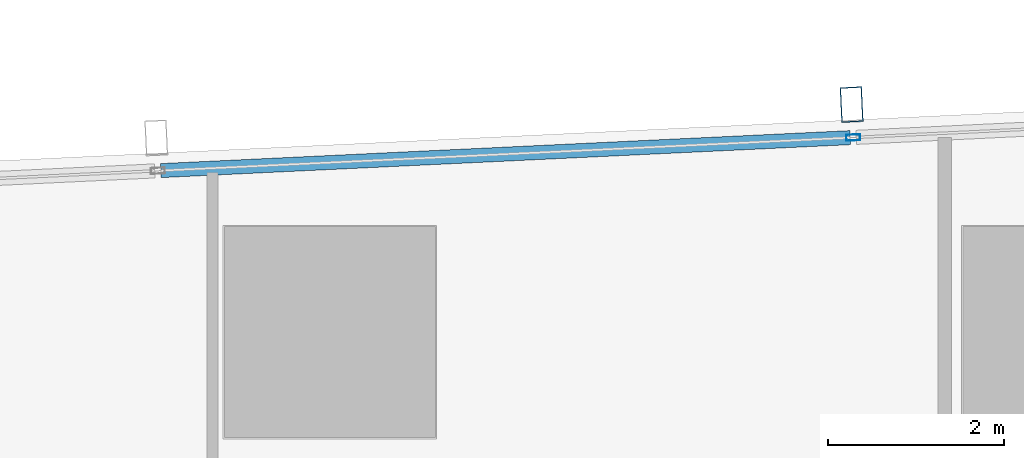
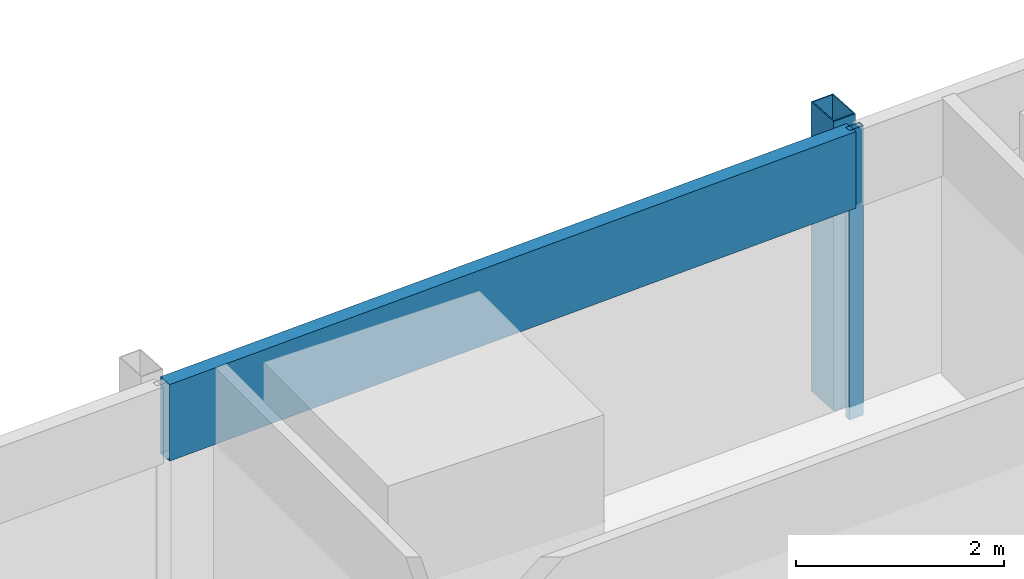
# One storey, part 14 of 34: 3 members, 1 element without a shape of its own.
"""IFC4 building model written with IfcOpenShell, lengths in metres."""

from ifc_helpers import new_model, si_unit, direction, frame, origin, origin_2d, place, context, subcontext, project, spatial, hollow_rectangle, extrude, material, material_profile, profile_set, type_object, element, aggregate, save


model = new_model("IFC4")

# Units and contexts
model_context = context("Model", 3, precision=1e-05, world=origin(), true_north=direction((0.0, 1.0)))
body_context = subcontext(model_context, "Body", "Model", "MODEL_VIEW")
ifc_project = project(units=[si_unit("LENGTHUNIT", "METRE"), si_unit("AREAUNIT", "SQUARE_METRE"), si_unit("VOLUMEUNIT", "CUBIC_METRE"), si_unit("PLANEANGLEUNIT", "RADIAN"), si_unit("MASSUNIT", "GRAM", prefix="KILO")], contexts=[model_context])

# Site, building, storey
site_placement = place(None, origin())
site = spatial("IfcSite", under=ifc_project, at=site_placement, CompositionType="ELEMENT")
building_placement = place(site_placement, origin())
building = spatial("IfcBuilding", under=site, at=building_placement, Name="Rekha Terrace Tower", CompositionType="ELEMENT")
storey_placement = place(building_placement, frame((0.0, 0.0, 236.449951171875)))
storey = spatial("IfcBuildingStorey", under=building, at=storey_placement, Name="L60", CompositionType="ELEMENT", Elevation=236.449951171875)

# Curtain wall, members
ifc_material_1 = material(Name="Aluminium framing", Category="aluminium")
curtain_wall_type = type_object("IfcCurtainWallType", Name="CW3 north unitised glazing", PredefinedType="USERDEFINED", material=ifc_material_1)
curtain_wall_placement = place(storey_placement, origin())
curtain_wall = element("IfcCurtainWall", 1, at=curtain_wall_placement, inside=storey, type_object=curtain_wall_type, Name="CW3 unitised curtain wall", ObjectType="UNITISED CURTAIN WALL", PredefinedType="USERDEFINED")
ifc_material_2 = material(Name="Steel S355 with fluorocarbon finish", Category="steel")
ifc_material_profile_1 = material_profile(ifc_material_2, hollow_rectangle(XDim=0.25, YDim=0.39990234375, WallThickness=0.012451171875, at=origin_2d()), Name="RHS400x250x12.5")
ifc_profile_set_1 = profile_set([ifc_material_profile_1], Name="Steel S355 with fluorocarbon finish")
member_type_1 = type_object("IfcMemberType", Name="BL1 facade blade RHS 400 x 250", PredefinedType="USERDEFINED", material=ifc_profile_set_1)
member_1_placement = place(storey_placement, frame((22.734130859375, 61.389404296875, 0.0), z_axis=(0.0, 0.0, 1.0), x_axis=(-0.998858913274, -0.04775846913, 0.0)))
member_1 = element("IfcMember", 2, at=member_1_placement, type_object=member_type_1, Name="Facade blade", ObjectType="FACADE BLADE", PredefinedType="USERDEFINED", context=body_context, shape_type="SweptSolid", body=[
    extrude(hollow_rectangle(XDim=0.25, YDim=0.39990234375, WallThickness=0.012451171875, at=origin_2d()), origin(), (0.0, 0.0, 1.0), 3.400146484375),
])
ifc_material_3 = material(Name="Aluminium mullion section", Category="aluminium")
ifc_material_profile_2 = material_profile(ifc_material_3, hollow_rectangle(XDim=0.070068359375, YDim=0.159912109375, WallThickness=0.00390625, at=origin_2d()), Name="AL RHS 70x160")
ifc_profile_set_2 = profile_set([ifc_material_profile_2], Name="Aluminium mullion section")
member_type_2 = type_object("IfcMemberType", Name="CW3 mullion RHS 70 x 160", PredefinedType="MULLION", material=ifc_profile_set_2)
member_2_placement = place(storey_placement, frame((22.751953125, 61.014892578125, 0.0), z_axis=(0.0, 0.0, 1.0), x_axis=(0.047758616983, -0.998858906204, 0.0)))
member_2 = element("IfcMember", 3, at=member_2_placement, type_object=member_type_2, Name="CW3 mullion 4", PredefinedType="MULLION", context=body_context, shape_type="SweptSolid", body=[
    extrude(hollow_rectangle(XDim=0.070068359375, YDim=0.159912109375, WallThickness=0.00390625, at=origin_2d()), origin(), (0.0, 0.0, 1.0), 3.400146484375),
])
ifc_material_4 = material(Name="Insulated aluminium spandrel box", Category="aluminium")
ifc_material_profile_3 = material_profile(ifc_material_4, hollow_rectangle(XDim=0.159912109375, YDim=0.89990234375, WallThickness=0.0029296875, at=origin_2d()), Name="AL SPANDREL BOX 160x900")
ifc_profile_set_3 = profile_set([ifc_material_profile_3], Name="Insulated aluminium spandrel box")
member_type_3 = type_object("IfcMemberType", Name="CW3 spandrel transom 160 x 900", PredefinedType="USERDEFINED", material=ifc_profile_set_3)
member_3_placement = place(storey_placement, frame((22.717041015625, 61.01318359375, 2.949951171875), z_axis=(-0.998859252362, -0.047751376635, 0.0), x_axis=(0.047751376635, -0.998859252362, 0.0)))
member_3 = element("IfcMember", 4, at=member_3_placement, type_object=member_type_3, Name="CW3 spandrel transom 4", ObjectType="TRANSOM", PredefinedType="USERDEFINED", context=body_context, shape_type="SweptSolid", body=[
    extrude(hollow_rectangle(XDim=0.159912109375, YDim=0.89990234375, WallThickness=0.0029296875, at=origin_2d()), origin(), (0.0, 0.0, 1.0), 7.84814453125),
])
aggregate(curtain_wall, [member_2, member_3, member_1])

save(model, "model.ifc")
